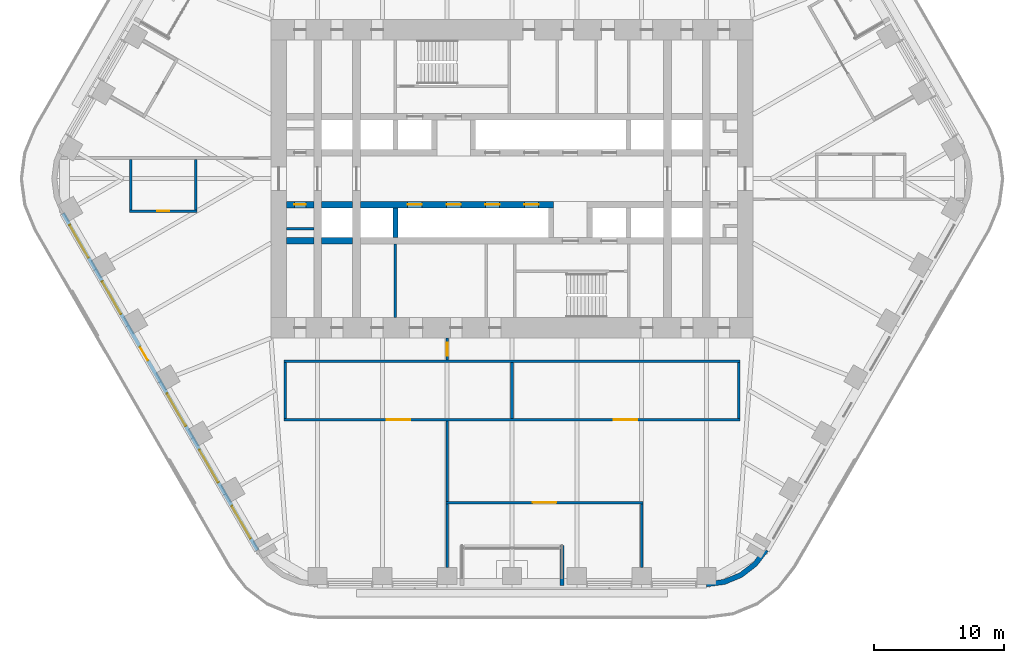
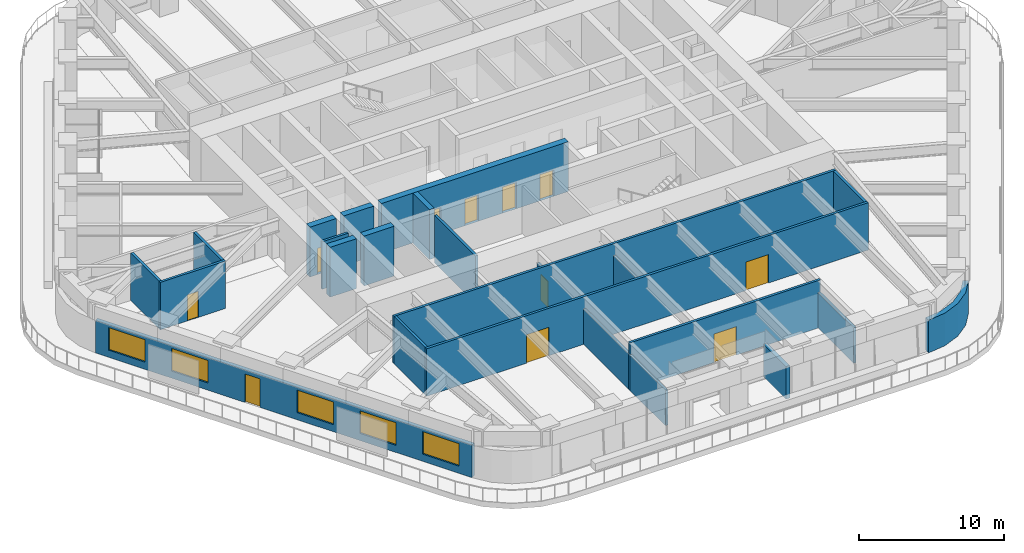
# One storey, part 17 of 24: 24 walls, 11 doors, 5 windows, 16 openings.
"""IFC4 building model written with IfcOpenShell, lengths in metres."""

from ifc_helpers import new_model, si_unit, direction, frame, frame_2d, origin, place, context, subcontext, project, spatial, polyline, rectangle, outline, extrude, material, layer, layer_set, type_object, element, fill, save


model = new_model("IFC4")

# Units and contexts
model_context = context("Model", 3, precision=1e-05, world=origin(), true_north=direction((0.0, 1.0)))
body_context = subcontext(model_context, "Body", "Model", "MODEL_VIEW")
ifc_project = project(units=[si_unit("LENGTHUNIT", "METRE"), si_unit("AREAUNIT", "SQUARE_METRE"), si_unit("VOLUMEUNIT", "CUBIC_METRE"), si_unit("PLANEANGLEUNIT", "RADIAN"), si_unit("MASSUNIT", "GRAM", prefix="KILO")], contexts=[model_context])

# Site, building, storey
site_placement = place(None, origin())
site = spatial("IfcSite", under=ifc_project, at=site_placement, CompositionType="ELEMENT")
building_placement = place(site_placement, origin())
building = spatial("IfcBuilding", under=site, at=building_placement, Name="Tarfa Lantern Tower", CompositionType="ELEMENT")
storey_placement = place(building_placement, frame((0.0, 0.0, 182.5)))
storey = spatial("IfcBuildingStorey", under=building, at=storey_placement, Name="L41", CompositionType="ELEMENT", Elevation=182.5)

# Wall, openings, door, windows
ifc_material_1 = material(Name="Limestone cladding on blockwork", Category="masonry")
ifc_layer_1 = layer(ifc_material_1, 0.300048828125)
ifc_layer_set_1 = layer_set([ifc_layer_1], Name="EW1 STONE-CLAD WALL 300")
wall_type_1 = type_object("IfcWallType", Name="EW1 STONE-CLAD WALL 300", PredefinedType="SOLIDWALL", material=ifc_layer_set_1)
wall_1_placement = place(storey_placement, frame((-34.655517578125, -2.675048828125, 0.0), z_axis=(0.0, 0.0, 1.0), x_axis=(0.500003084452, -0.866023622968, 0.0)))
wall_1 = element("IfcWall", 1, at=wall_1_placement, inside=storey, type_object=wall_type_1, Name="Stone wall SW", PredefinedType="SOLIDWALL", context=body_context, shape_type="SweptSolid", body=[
    extrude(rectangle(XDim=30.022216796875, YDim=0.300048828125, at=frame_2d((15.01123046875, 0.0))), origin(), (0.0, 0.0, 1.0), 2.75),
])
opening_1_placement = place(wall_1_placement, frame((1.0517578125, 0.0, 0.60009765625)))
opening_1 = element("IfcOpeningElement", 2, at=opening_1_placement, cuts=wall_1, Name="Opening W9", PredefinedType="OPENING", context=body_context, shape_type="SweptSolid", body=[
    extrude(rectangle(XDim=2.89990234375, YDim=1.89990234375, at=frame_2d((1.449951171875, 0.949951171875))), frame((0.0, 0.159912109375, 0.0), z_axis=(0.0, -1.0, 0.0), x_axis=(1.0, 0.0, 0.0)), (0.0, 0.0, 1.0), 0.320068359375),
])
opening_2_placement = place(wall_1_placement, frame((6.0556640625, 0.0, 0.60009765625)))
opening_2 = element("IfcOpeningElement", 3, at=opening_2_placement, cuts=wall_1, Name="Opening W9", PredefinedType="OPENING", context=body_context, shape_type="SweptSolid", body=[
    extrude(rectangle(XDim=2.89990234375, YDim=1.89990234375, at=frame_2d((1.449951171875, 0.949951171875))), frame((0.0, 0.159912109375, 0.0), z_axis=(0.0, -1.0, 0.0), x_axis=(1.0, 0.0, 0.0)), (0.0, 0.0, 1.0), 0.320068359375),
])
opening_3_placement = place(wall_1_placement, frame((11.9091796875, 0.0, 0.0)))
opening_3 = element("IfcOpeningElement", 4, at=opening_3_placement, cuts=wall_1, Name="Opening D47", PredefinedType="OPENING", context=body_context, shape_type="SweptSolid", body=[
    extrude(rectangle(XDim=1.199951171875, YDim=2.39990234375, at=frame_2d((0.60009765625, 1.199951171875))), frame((0.0, 0.159912109375, 0.0), z_axis=(0.0, -1.0, 0.0), x_axis=(1.0, 0.0, 0.0)), (0.0, 0.0, 1.0), 0.320068359375),
])
opening_4_placement = place(wall_1_placement, frame((16.06298828125, 0.0, 0.60009765625)))
opening_4 = element("IfcOpeningElement", 5, at=opening_4_placement, cuts=wall_1, Name="Opening W9", PredefinedType="OPENING", context=body_context, shape_type="SweptSolid", body=[
    extrude(rectangle(XDim=2.89990234375, YDim=1.89990234375, at=frame_2d((1.449951171875, 0.949951171875))), frame((0.0, 0.159912109375, 0.0), z_axis=(0.0, -1.0, 0.0), x_axis=(1.0, 0.0, 0.0)), (0.0, 0.0, 1.0), 0.320068359375),
])
opening_5_placement = place(wall_1_placement, frame((21.066650390625, 0.0, 0.60009765625)))
opening_5 = element("IfcOpeningElement", 6, at=opening_5_placement, cuts=wall_1, Name="Opening W9", PredefinedType="OPENING", context=body_context, shape_type="SweptSolid", body=[
    extrude(rectangle(XDim=2.89990234375, YDim=1.89990234375, at=frame_2d((1.449951171875, 0.949951171875))), frame((0.0, 0.159912109375, 0.0), z_axis=(0.0, -1.0, 0.0), x_axis=(1.0, 0.0, 0.0)), (0.0, 0.0, 1.0), 0.320068359375),
])
opening_6_placement = place(wall_1_placement, frame((26.0703125, 0.0, 0.60009765625)))
opening_6 = element("IfcOpeningElement", 7, at=opening_6_placement, cuts=wall_1, Name="Opening W9", PredefinedType="OPENING", context=body_context, shape_type="SweptSolid", body=[
    extrude(rectangle(XDim=2.89990234375, YDim=1.89990234375, at=frame_2d((1.449951171875, 0.949951171875))), frame((0.0, 0.159912109375, 0.0), z_axis=(0.0, -1.0, 0.0), x_axis=(1.0, 0.0, 0.0)), (0.0, 0.0, 1.0), 0.320068359375),
])
ifc_material_2 = material(Name="Aluminium framed glazed door", Category="aluminium")
door_type_1 = type_object("IfcDoorType", Name="BE3 BALCONY DOOR 1200x2400", OperationType="SINGLE_SWING_RIGHT", PredefinedType="DOOR", material=ifc_material_2)
door_1_placement = place(opening_3_placement, origin())
door_1 = element("IfcDoor", 8, at=door_1_placement, inside=storey, type_object=door_type_1, Name="Balcony door SW", OperationType="SINGLE_SWING_RIGHT", OverallHeight=2.39990234375, OverallWidth=1.199951171875, PredefinedType="DOOR", context=body_context, shape_type="SweptSolid", body=[
    extrude(rectangle(XDim=1.199951171875, YDim=2.39990234375, at=frame_2d((0.60009765625, 1.199951171875))), frame((0.0, 0.02490234375, 0.0), z_axis=(0.0, -1.0, 0.0), x_axis=(1.0, 0.0, 0.0)), (0.0, 0.0, 1.0), 0.050048828125),
])
fill(opening_3, door_1)
ifc_material_3 = material(Name="Aluminium frame, double glazed", Category="aluminium")
window_type = type_object("IfcWindowType", Name="W9 FULL-HEIGHT GLAZING 2900x1900", PartitioningType="SINGLE_PANEL", PredefinedType="WINDOW", material=ifc_material_3)
window_1_placement = place(opening_1_placement, origin())
window_1 = element("IfcWindow", 9, at=window_1_placement, inside=storey, type_object=window_type, Name="Window SW 1", OverallHeight=1.89990234375, OverallWidth=2.89990234375, PartitioningType="SINGLE_PANEL", PredefinedType="WINDOW", context=body_context, shape_type="SweptSolid", body=[
    extrude(rectangle(XDim=2.89990234375, YDim=1.89990234375, at=frame_2d((1.449951171875, 0.949951171875))), frame((0.0, 0.030029296875, 0.0), z_axis=(0.0, -1.0, 0.0), x_axis=(1.0, 0.0, 0.0)), (0.0, 0.0, 1.0), 0.06005859375),
])
fill(opening_1, window_1)
window_2_placement = place(opening_2_placement, origin())
window_2 = element("IfcWindow", 10, at=window_2_placement, inside=storey, type_object=window_type, Name="Window SW 2", OverallHeight=1.89990234375, OverallWidth=2.89990234375, PartitioningType="SINGLE_PANEL", PredefinedType="WINDOW", context=body_context, shape_type="SweptSolid", body=[
    extrude(rectangle(XDim=2.89990234375, YDim=1.89990234375, at=frame_2d((1.449951171875, 0.949951171875))), frame((0.0, 0.030029296875, 0.0), z_axis=(0.0, -1.0, 0.0), x_axis=(1.0, 0.0, 0.0)), (0.0, 0.0, 1.0), 0.06005859375),
])
fill(opening_2, window_2)
window_3_placement = place(opening_4_placement, origin())
window_3 = element("IfcWindow", 11, at=window_3_placement, inside=storey, type_object=window_type, Name="Window SW 4", OverallHeight=1.89990234375, OverallWidth=2.89990234375, PartitioningType="SINGLE_PANEL", PredefinedType="WINDOW", context=body_context, shape_type="SweptSolid", body=[
    extrude(rectangle(XDim=2.89990234375, YDim=1.89990234375, at=frame_2d((1.449951171875, 0.949951171875))), frame((0.0, 0.030029296875, 0.0), z_axis=(0.0, -1.0, 0.0), x_axis=(1.0, 0.0, 0.0)), (0.0, 0.0, 1.0), 0.06005859375),
])
fill(opening_4, window_3)
window_4_placement = place(opening_5_placement, origin())
window_4 = element("IfcWindow", 12, at=window_4_placement, inside=storey, type_object=window_type, Name="Window SW 5", OverallHeight=1.89990234375, OverallWidth=2.89990234375, PartitioningType="SINGLE_PANEL", PredefinedType="WINDOW", context=body_context, shape_type="SweptSolid", body=[
    extrude(rectangle(XDim=2.89990234375, YDim=1.89990234375, at=frame_2d((1.449951171875, 0.949951171875))), frame((0.0, 0.030029296875, 0.0), z_axis=(0.0, -1.0, 0.0), x_axis=(1.0, 0.0, 0.0)), (0.0, 0.0, 1.0), 0.06005859375),
])
fill(opening_5, window_4)
window_5_placement = place(opening_6_placement, origin())
window_5 = element("IfcWindow", 13, at=window_5_placement, inside=storey, type_object=window_type, Name="Window SW 6", OverallHeight=1.89990234375, OverallWidth=2.89990234375, PartitioningType="SINGLE_PANEL", PredefinedType="WINDOW", context=body_context, shape_type="SweptSolid", body=[
    extrude(rectangle(XDim=2.89990234375, YDim=1.89990234375, at=frame_2d((1.449951171875, 0.949951171875))), frame((0.0, 0.030029296875, 0.0), z_axis=(0.0, -1.0, 0.0), x_axis=(1.0, 0.0, 0.0)), (0.0, 0.0, 1.0), 0.06005859375),
])
fill(opening_6, window_5)

# Walls
wall_2_placement = place(storey_placement, frame((3.853759765625, -31.39990234375, 0.0), z_axis=(0.0, 0.0, 1.0), x_axis=(0.0, 1.0, 0.0)))
element("IfcWall", 14, at=wall_2_placement, inside=storey, type_object=wall_type_1, Name="Loggia return S 2", PredefinedType="SOLIDWALL", context=body_context, shape_type="SweptSolid", body=[
    extrude(rectangle(XDim=3.099853515625, YDim=0.300048828125, at=frame_2d((1.5498046875, 0.0))), origin(), (0.0, 0.0, 1.0), 2.75),
])
ifc_layer_2 = layer(ifc_material_1, 0.39990234375)
ifc_layer_set_2 = layer_set([ifc_layer_2], Name="EW2 CURVED STONE CORNER 400")
wall_type_2 = type_object("IfcWallType", Name="EW2 CURVED STONE CORNER 400", PredefinedType="SOLIDWALL", material=ifc_layer_set_2)
wall_3_placement = place(storey_placement, origin())
element("IfcWall", 15, at=wall_3_placement, inside=storey, type_object=wall_type_2, Name="Stone corner S-SE", PredefinedType="SOLIDWALL", context=body_context, shape_type="SweptSolid", body=[
    extrude(outline(polyline([(15.010986328125, -31.5), (16.4345703125, -31.3125), (17.760986328125, -30.76318359375), (18.900146484375, -29.88916015625), (19.774169921875, -28.75), (19.427734375, -28.550048828125), (18.617431640625, -29.606201171875), (17.56103515625, -30.416748046875), (16.3310546875, -30.92626953125), (15.010986328125, -31.10009765625), (15.010986328125, -31.5)])), origin(), (0.0, 0.0, 1.0), 2.75),
])
ifc_material_4 = material(Name="Concrete blockwork", Category="masonry")
ifc_layer_3 = layer(ifc_material_4, 0.199951171875)
ifc_layer_set_3 = layer_set([ifc_layer_3], Name="IW1 BLOCKWORK PARTITION 200 EI 120")
wall_type_3 = type_object("IfcWallType", Name="IW1 BLOCKWORK PARTITION 200 EI 120", PredefinedType="PARTITIONING", material=ifc_layer_set_3)
wall_4_placement = place(storey_placement, frame((-9.0, -5.050048828125, 0.0), z_axis=(0.0, 0.0, 1.0), x_axis=(0.0, -1.0, 0.0)))
element("IfcWall", 16, at=wall_4_placement, inside=storey, type_object=wall_type_3, Name="Core partition", PredefinedType="PARTITIONING", context=body_context, shape_type="SweptSolid", body=[
    extrude(rectangle(XDim=5.64990234375, YDim=0.199951171875, at=frame_2d((2.824951171875, 0.0))), origin(), (0.0, 0.0, 1.0), 4.0),
])
wall_5_placement = place(storey_placement, frame((-15.300048828125, -3.85009765625, 0.0), z_axis=(0.0, 0.0, 1.0), x_axis=(-1.0, 0.0, 0.0)))
element("IfcWall", 17, at=wall_5_placement, inside=storey, type_object=wall_type_3, Name="Core partition", PredefinedType="PARTITIONING", context=body_context, shape_type="SweptSolid", body=[
    extrude(rectangle(XDim=2.099853515625, YDim=0.199951171875, at=frame_2d((1.0498046875, 0.0))), origin(), (0.0, 0.0, 1.0), 4.0),
])
ifc_material_5 = material(Name="Gypsum board on steel studs", Category="steel")
ifc_layer_4 = layer(ifc_material_5, 0.2099609375)
ifc_layer_set_4 = layer_set([ifc_layer_4], Name="IW2 ACOUSTIC PARTITION 200")
wall_type_4 = type_object("IfcWallType", Name="IW2 ACOUSTIC PARTITION 200", PredefinedType="PARTITIONING", material=ifc_layer_set_4)
wall_6_placement = place(storey_placement, frame((17.60009765625, -14.10009765625, 0.0), z_axis=(0.0, 0.0, 1.0), x_axis=(-1.0, 0.0, 0.0)))
element("IfcWall", 18, at=wall_6_placement, inside=storey, type_object=wall_type_4, Name="Partition", PredefinedType="PARTITIONING", context=body_context, shape_type="SweptSolid", body=[
    extrude(rectangle(XDim=35.2001953125, YDim=0.199951171875, at=frame_2d((17.60009765625, 0.0))), origin(), (0.0, 0.0, 1.0), 4.0),
])

# Wall, openings, doors
wall_7_placement = place(storey_placement, frame((17.60009765625, -18.60009765625, 0.0), z_axis=(0.0, 0.0, 1.0), x_axis=(-1.0, 0.0, 0.0)))
wall_7 = element("IfcWall", 19, at=wall_7_placement, inside=storey, type_object=wall_type_4, Name="Partition", PredefinedType="PARTITIONING", context=body_context, shape_type="SweptSolid", body=[
    extrude(rectangle(XDim=35.2001953125, YDim=0.199951171875, at=frame_2d((17.60009765625, 0.0))), origin(), (0.0, 0.0, 1.0), 4.0),
])
opening_7_placement = place(wall_7_placement, frame((7.949951171875, 0.0, 0.0)))
opening_7 = element("IfcOpeningElement", 20, at=opening_7_placement, cuts=wall_7, Name="Opening D37", PredefinedType="OPENING", context=body_context, shape_type="SweptSolid", body=[
    extrude(rectangle(XDim=1.800048828125, YDim=2.39990234375, at=frame_2d((0.89990234375, 1.199951171875))), frame((0.0, 0.10986328125, 0.0), z_axis=(0.0, -1.0, 0.0), x_axis=(1.0, 0.0, 0.0)), (0.0, 0.0, 1.0), 0.219970703125),
])
opening_8_placement = place(wall_7_placement, frame((25.449951171875, 0.0, 0.0)))
opening_8 = element("IfcOpeningElement", 21, at=opening_8_placement, cuts=wall_7, Name="Opening D38", PredefinedType="OPENING", context=body_context, shape_type="SweptSolid", body=[
    extrude(rectangle(XDim=1.800048828125, YDim=2.39990234375, at=frame_2d((0.89990234375, 1.199951171875))), frame((0.0, 0.10986328125, 0.0), z_axis=(0.0, -1.0, 0.0), x_axis=(1.0, 0.0, 0.0)), (0.0, 0.0, 1.0), 0.219970703125),
])
ifc_material_6 = material(Name="Timber door", Category="wood")
door_type_2 = type_object("IfcDoorType", Name="DR2 ROOM DOOR 1800x2400", OperationType="DOUBLE_DOOR_SINGLE_SWING", PredefinedType="DOOR", material=ifc_material_6)
door_2_placement = place(opening_7_placement, frame((1.800048828125, 0.0, 0.0), z_axis=(0.0, 0.0, 1.0), x_axis=(-1.0, 0.0, 0.0)))
door_2 = element("IfcDoor", 22, at=door_2_placement, inside=storey, type_object=door_type_2, Name="Pantry door", OperationType="DOUBLE_DOOR_SINGLE_SWING", OverallHeight=2.39990234375, OverallWidth=1.800048828125, PredefinedType="DOOR", context=body_context, shape_type="SweptSolid", body=[
    extrude(rectangle(XDim=1.800048828125, YDim=2.39990234375, at=frame_2d((0.89990234375, 1.199951171875))), frame((0.0, 0.02490234375, 0.0), z_axis=(0.0, -1.0, 0.0), x_axis=(1.0, 0.0, 0.0)), (0.0, 0.0, 1.0), 0.050048828125),
])
fill(opening_7, door_2)
door_3_placement = place(opening_8_placement, frame((1.800048828125, 0.0, 0.0), z_axis=(0.0, 0.0, 1.0), x_axis=(-1.0, 0.0, 0.0)))
door_3 = element("IfcDoor", 23, at=door_3_placement, inside=storey, type_object=door_type_2, Name="Store door", OperationType="DOUBLE_DOOR_SINGLE_SWING", OverallHeight=2.39990234375, OverallWidth=1.800048828125, PredefinedType="DOOR", context=body_context, shape_type="SweptSolid", body=[
    extrude(rectangle(XDim=1.800048828125, YDim=2.39990234375, at=frame_2d((0.89990234375, 1.199951171875))), frame((0.0, 0.02490234375, 0.0), z_axis=(0.0, -1.0, 0.0), x_axis=(1.0, 0.0, 0.0)), (0.0, 0.0, 1.0), 0.050048828125),
])
fill(opening_8, door_3)

# Walls
wall_8_placement = place(storey_placement, frame((17.5, -14.199951171875, 0.0), z_axis=(0.0, 0.0, 1.0), x_axis=(0.0, -1.0, 0.0)))
element("IfcWall", 24, at=wall_8_placement, inside=storey, type_object=wall_type_4, Name="Partition", PredefinedType="PARTITIONING", context=body_context, shape_type="SweptSolid", body=[
    extrude(rectangle(XDim=4.300048828125, YDim=0.199951171875, at=frame_2d((2.14990234375, 0.0))), origin(), (0.0, 0.0, 1.0), 4.0),
])
wall_9_placement = place(storey_placement, frame((0.0, -14.199951171875, 0.0), z_axis=(0.0, 0.0, 1.0), x_axis=(0.0, -1.0, 0.0)))
element("IfcWall", 25, at=wall_9_placement, inside=storey, type_object=wall_type_4, Name="Partition", PredefinedType="PARTITIONING", context=body_context, shape_type="SweptSolid", body=[
    extrude(rectangle(XDim=4.300048828125, YDim=0.199951171875, at=frame_2d((2.14990234375, 0.0))), origin(), (0.0, 0.0, 1.0), 2.991943359375),
])
wall_10_placement = place(storey_placement, frame((-17.5, -14.199951171875, 0.0), z_axis=(0.0, 0.0, 1.0), x_axis=(0.0, -1.0, 0.0)))
element("IfcWall", 26, at=wall_10_placement, inside=storey, type_object=wall_type_4, Name="Partition", PredefinedType="PARTITIONING", context=body_context, shape_type="SweptSolid", body=[
    extrude(rectangle(XDim=4.300048828125, YDim=0.199951171875, at=frame_2d((2.14990234375, 0.0))), origin(), (0.0, 0.0, 1.0), 4.0),
])

# Wall, opening, door
wall_11_placement = place(storey_placement, frame((-5.103759765625, -25.0, 0.0), z_axis=(0.0, 0.0, 1.0), x_axis=(1.0, 0.0, 0.0)))
wall_11 = element("IfcWall", 27, at=wall_11_placement, inside=storey, type_object=wall_type_4, Name="Partition", PredefinedType="PARTITIONING", context=body_context, shape_type="SweptSolid", body=[
    extrude(rectangle(XDim=15.211181640625, YDim=0.199951171875, at=frame_2d((7.60546875, 0.0))), origin(), (0.0, 0.0, 1.0), 4.0),
])
opening_9_placement = place(wall_11_placement, frame((6.70556640625, 0.0, 0.0)))
opening_9 = element("IfcOpeningElement", 28, at=opening_9_placement, cuts=wall_11, Name="Opening D35", PredefinedType="OPENING", context=body_context, shape_type="SweptSolid", body=[
    extrude(rectangle(XDim=1.800048828125, YDim=2.39990234375, at=frame_2d((0.89990234375, 1.199951171875))), frame((0.0, 0.10986328125, 0.0), z_axis=(0.0, -1.0, 0.0), x_axis=(1.0, 0.0, 0.0)), (0.0, 0.0, 1.0), 0.219970703125),
])
door_4_placement = place(opening_9_placement, frame((1.800048828125, 0.0, 0.0), z_axis=(0.0, 0.0, 1.0), x_axis=(-1.0, 0.0, 0.0)))
door_4 = element("IfcDoor", 29, at=door_4_placement, inside=storey, type_object=door_type_2, Name="Showroom door", OperationType="DOUBLE_DOOR_SINGLE_SWING", OverallHeight=2.39990234375, OverallWidth=1.800048828125, PredefinedType="DOOR", context=body_context, shape_type="SweptSolid", body=[
    extrude(rectangle(XDim=1.800048828125, YDim=2.39990234375, at=frame_2d((0.89990234375, 1.199951171875))), frame((0.0, 0.02490234375, 0.0), z_axis=(0.0, -1.0, 0.0), x_axis=(1.0, 0.0, 0.0)), (0.0, 0.0, 1.0), 0.050048828125),
])
fill(opening_9, door_4)

# Walls
for number, where, z_axis, x_axis, name in (
    (30, (-5.003662109375, -25.10009765625, 0.0), (0.0, 0.0, 1.0), (0.0, -1.0, 0.0), "Partition"),
    (31, (10.00732421875, -25.10009765625, 0.0), (0.0, 0.0, 1.0), (0.0, -1.0, 0.0), "Partition"),
):
    element("IfcWall", number, at=place(storey_placement, frame(where, z_axis=z_axis, x_axis=x_axis)), inside=storey, type_object=wall_type_4, Name=name, PredefinedType="PARTITIONING", context=body_context, shape_type="SweptSolid", body=[
        extrude(rectangle(XDim=4.89990234375, YDim=0.199951171875, at=frame_2d((2.449951171875, 0.0))), origin(), (0.0, 0.0, 1.0), 2.991943359375),
    ])

# Wall, opening, door
wall_12_placement = place(storey_placement, frame((-5.0, -12.300048828125, 0.0), z_axis=(0.0, 0.0, 1.0), x_axis=(0.0, -1.0, 0.0)))
wall_12 = element("IfcWall", 32, at=wall_12_placement, inside=storey, type_object=wall_type_4, Name="Partition", PredefinedType="PARTITIONING", context=body_context, shape_type="SweptSolid", body=[
    extrude(rectangle(XDim=1.699951171875, YDim=0.199951171875, at=frame_2d((0.85009765625, 0.0))), origin(), (0.0, 0.0, 1.0), 2.991943359375),
])
opening_10_placement = place(wall_12_placement, frame((0.35009765625, 0.0, 0.0)))
opening_10 = element("IfcOpeningElement", 33, at=opening_10_placement, cuts=wall_12, Name="Opening D43", PredefinedType="OPENING", context=body_context, shape_type="SweptSolid", body=[
    extrude(rectangle(XDim=1.0, YDim=2.199951171875, at=frame_2d((0.5, 1.10009765625))), frame((0.0, 0.10986328125, 0.0), z_axis=(0.0, -1.0, 0.0), x_axis=(1.0, 0.0, 0.0)), (0.0, 0.0, 1.0), 0.219970703125),
])
door_type_3 = type_object("IfcDoorType", Name="DR1 ROOM DOOR 1000x2200", OperationType="SINGLE_SWING_LEFT", PredefinedType="DOOR", material=ifc_material_6)
door_5_placement = place(opening_10_placement, frame((1.0, 0.0, 0.0), z_axis=(0.0, 0.0, 1.0), x_axis=(-1.0, 0.0, 0.0)))
door_5 = element("IfcDoor", 34, at=door_5_placement, inside=storey, type_object=door_type_3, Name="Zone door", OperationType="SINGLE_SWING_RIGHT", OverallHeight=2.199951171875, OverallWidth=1.0, PredefinedType="DOOR", context=body_context, shape_type="SweptSolid", body=[
    extrude(rectangle(XDim=1.0, YDim=2.199951171875, at=frame_2d((0.5, 1.10009765625))), frame((0.0, 0.02490234375, 0.0), z_axis=(0.0, -1.0, 0.0), x_axis=(1.0, 0.0, 0.0)), (0.0, 0.0, 1.0), 0.050048828125),
])
fill(opening_10, door_5)

# Wall
wall_13_placement = place(storey_placement, frame((-5.0, -18.699951171875, 0.0), z_axis=(0.0, 0.0, 1.0), x_axis=(0.0, -1.0, 0.0)))
element("IfcWall", 35, at=wall_13_placement, inside=storey, type_object=wall_type_4, Name="Partition", PredefinedType="PARTITIONING", context=body_context, shape_type="SweptSolid", body=[
    extrude(rectangle(XDim=6.199951171875, YDim=0.199951171875, at=frame_2d((3.10009765625, 0.0))), origin(), (0.0, 0.0, 1.0), 2.991943359375),
])

# Wall, opening, door
wall_14_placement = place(storey_placement, frame((-24.314453125, -2.5, 0.0), z_axis=(0.0, 0.0, 1.0), x_axis=(-1.0, 0.0, 0.0)))
wall_14 = element("IfcWall", 36, at=wall_14_placement, inside=storey, type_object=wall_type_4, Name="Partition", PredefinedType="PARTITIONING", context=body_context, shape_type="SweptSolid", body=[
    extrude(rectangle(XDim=5.199951171875, YDim=0.199951171875, at=frame_2d((2.60009765625, 0.0))), origin(), (0.0, 0.0, 1.0), 4.0),
])
opening_11_placement = place(wall_14_placement, frame((2.14990234375, 0.0, 0.0)))
opening_11 = element("IfcOpeningElement", 37, at=opening_11_placement, cuts=wall_14, Name="Opening D41", PredefinedType="OPENING", context=body_context, shape_type="SweptSolid", body=[
    extrude(rectangle(XDim=0.89990234375, YDim=2.199951171875, at=frame_2d((0.449951171875, 1.10009765625))), frame((0.0, 0.10986328125, 0.0), z_axis=(0.0, -1.0, 0.0), x_axis=(1.0, 0.0, 0.0)), (0.0, 0.0, 1.0), 0.219970703125),
])
door_type_4 = type_object("IfcDoorType", Name="DR3 ROOM DOOR 900x2200", OperationType="SINGLE_SWING_LEFT", PredefinedType="DOOR", material=ifc_material_6)
door_6_placement = place(opening_11_placement, frame((0.89990234375, 0.0, 0.0), z_axis=(0.0, 0.0, 1.0), x_axis=(-1.0, 0.0, 0.0)))
door_6 = element("IfcDoor", 38, at=door_6_placement, inside=storey, type_object=door_type_4, Name="Team room door", OperationType="SINGLE_SWING_RIGHT", OverallHeight=2.199951171875, OverallWidth=0.89990234375, PredefinedType="DOOR", context=body_context, shape_type="SweptSolid", body=[
    extrude(rectangle(XDim=0.89990234375, YDim=2.199951171875, at=frame_2d((0.449951171875, 1.10009765625))), frame((0.0, 0.02490234375, 0.0), z_axis=(0.0, -1.0, 0.0), x_axis=(1.0, 0.0, 0.0)), (0.0, 0.0, 1.0), 0.050048828125),
])
fill(opening_11, door_6)

# Walls
for number, where, z_axis, x_axis, name in (
    (39, (-24.41455078125, 1.5, 0.0), (0.0, 0.0, 1.0), (0.0, -1.0, 0.0), "Partition"),
    (40, (-29.41455078125, 1.5, 0.0), (0.0, 0.0, 1.0), (0.0, -1.0, 0.0), "Partition"),
):
    element("IfcWall", number, at=place(storey_placement, frame(where, z_axis=z_axis, x_axis=x_axis)), inside=storey, type_object=wall_type_4, Name=name, PredefinedType="PARTITIONING", context=body_context, shape_type="SweptSolid", body=[
        extrude(rectangle(XDim=3.89990234375, YDim=0.199951171875, at=frame_2d((1.949951171875, 0.0))), origin(), (0.0, 0.0, 1.0), 4.0),
    ])

# Wall, openings, doors
ifc_material_7 = material(Name="Concrete C80/95", Category="concrete")
ifc_layer_5 = layer(ifc_material_7, 0.5)
ifc_layer_set_5 = layer_set([ifc_layer_5], Name="SW5 CORE WALL 500")
wall_type_5 = type_object("IfcWallType", Name="SW5 CORE WALL 500", PredefinedType="SHEAR", material=ifc_layer_set_5)
wall_15_placement = place(storey_placement, frame((3.199951171875, -2.0, 0.0), z_axis=(0.0, 0.0, 1.0), x_axis=(-1.0, 0.0, 0.0)))
wall_15 = element("IfcWall", 41, at=wall_15_placement, inside=storey, type_object=wall_type_5, Name="Core wall lobby east S", PredefinedType="SHEAR", context=body_context, shape_type="SweptSolid", body=[
    extrude(rectangle(XDim=14.89990234375, YDim=0.5, at=frame_2d((7.449951171875, 0.0))), origin(), (0.0, 0.0, 1.0), 4.199951171875),
])
opening_12_placement = place(wall_15_placement, frame((1.14990234375, 0.0, 0.0)))
opening_12 = element("IfcOpeningElement", 42, at=opening_12_placement, cuts=wall_15, Name="Opening LD07", PredefinedType="OPENING", context=body_context, shape_type="SweptSolid", body=[
    extrude(rectangle(XDim=1.10009765625, YDim=2.199951171875, at=frame_2d((0.550048828125, 1.10009765625))), frame((0.0, 0.260009765625, 0.0), z_axis=(0.0, -1.0, 0.0), x_axis=(1.0, 0.0, 0.0)), (0.0, 0.0, 1.0), 0.52001953125),
])
opening_13_placement = place(wall_15_placement, frame((4.14990234375, 0.0, 0.0)))
opening_13 = element("IfcOpeningElement", 43, at=opening_13_placement, cuts=wall_15, Name="Opening LD08", PredefinedType="OPENING", context=body_context, shape_type="SweptSolid", body=[
    extrude(rectangle(XDim=1.10009765625, YDim=2.199951171875, at=frame_2d((0.550048828125, 1.10009765625))), frame((0.0, 0.260009765625, 0.0), z_axis=(0.0, -1.0, 0.0), x_axis=(1.0, 0.0, 0.0)), (0.0, 0.0, 1.0), 0.52001953125),
])
opening_14_placement = place(wall_15_placement, frame((7.14990234375, 0.0, 0.0)))
opening_14 = element("IfcOpeningElement", 44, at=opening_14_placement, cuts=wall_15, Name="Opening LD09", PredefinedType="OPENING", context=body_context, shape_type="SweptSolid", body=[
    extrude(rectangle(XDim=1.10009765625, YDim=2.199951171875, at=frame_2d((0.550048828125, 1.10009765625))), frame((0.0, 0.260009765625, 0.0), z_axis=(0.0, -1.0, 0.0), x_axis=(1.0, 0.0, 0.0)), (0.0, 0.0, 1.0), 0.52001953125),
])
opening_15_placement = place(wall_15_placement, frame((10.14990234375, 0.0, 0.0)))
opening_15 = element("IfcOpeningElement", 45, at=opening_15_placement, cuts=wall_15, Name="Opening LD10", PredefinedType="OPENING", context=body_context, shape_type="SweptSolid", body=[
    extrude(rectangle(XDim=1.10009765625, YDim=2.199951171875, at=frame_2d((0.550048828125, 1.10009765625))), frame((0.0, 0.260009765625, 0.0), z_axis=(0.0, -1.0, 0.0), x_axis=(1.0, 0.0, 0.0)), (0.0, 0.0, 1.0), 0.52001953125),
])
ifc_material_8 = material(Name="Stainless steel lift door", Category="steel")
door_type_5 = type_object("IfcDoorType", Name="LD2 LIFT LANDING DOOR 1100x2200", OperationType="SLIDING_TO_LEFT", PredefinedType="DOOR", material=ifc_material_8)
door_7_placement = place(opening_12_placement, frame((1.10009765625, 0.0, 0.0), z_axis=(0.0, 0.0, 1.0), x_axis=(-1.0, 0.0, 0.0)))
door_7 = element("IfcDoor", 46, at=door_7_placement, inside=storey, type_object=door_type_5, Name="Landing door PB5", OperationType="SLIDING_TO_LEFT", OverallHeight=2.199951171875, OverallWidth=1.10009765625, PredefinedType="DOOR", context=body_context, shape_type="SweptSolid", body=[
    extrude(rectangle(XDim=1.10009765625, YDim=2.199951171875, at=frame_2d((0.550048828125, 1.10009765625))), frame((0.0, 0.02490234375, 0.0), z_axis=(0.0, -1.0, 0.0), x_axis=(1.0, 0.0, 0.0)), (0.0, 0.0, 1.0), 0.050048828125),
])
fill(opening_12, door_7)
door_8_placement = place(opening_13_placement, frame((1.10009765625, 0.0, 0.0), z_axis=(0.0, 0.0, 1.0), x_axis=(-1.0, 0.0, 0.0)))
door_8 = element("IfcDoor", 47, at=door_8_placement, inside=storey, type_object=door_type_5, Name="Landing door PB6", OperationType="SLIDING_TO_LEFT", OverallHeight=2.199951171875, OverallWidth=1.10009765625, PredefinedType="DOOR", context=body_context, shape_type="SweptSolid", body=[
    extrude(rectangle(XDim=1.10009765625, YDim=2.199951171875, at=frame_2d((0.550048828125, 1.10009765625))), frame((0.0, 0.02490234375, 0.0), z_axis=(0.0, -1.0, 0.0), x_axis=(1.0, 0.0, 0.0)), (0.0, 0.0, 1.0), 0.050048828125),
])
fill(opening_13, door_8)
door_9_placement = place(opening_14_placement, frame((1.10009765625, 0.0, 0.0), z_axis=(0.0, 0.0, 1.0), x_axis=(-1.0, 0.0, 0.0)))
door_9 = element("IfcDoor", 48, at=door_9_placement, inside=storey, type_object=door_type_5, Name="Landing door PB7", OperationType="SLIDING_TO_LEFT", OverallHeight=2.199951171875, OverallWidth=1.10009765625, PredefinedType="DOOR", context=body_context, shape_type="SweptSolid", body=[
    extrude(rectangle(XDim=1.10009765625, YDim=2.199951171875, at=frame_2d((0.550048828125, 1.10009765625))), frame((0.0, 0.02490234375, 0.0), z_axis=(0.0, -1.0, 0.0), x_axis=(1.0, 0.0, 0.0)), (0.0, 0.0, 1.0), 0.050048828125),
])
fill(opening_14, door_9)
door_10_placement = place(opening_15_placement, frame((1.10009765625, 0.0, 0.0), z_axis=(0.0, 0.0, 1.0), x_axis=(-1.0, 0.0, 0.0)))
door_10 = element("IfcDoor", 49, at=door_10_placement, inside=storey, type_object=door_type_5, Name="Landing door PB8", OperationType="SLIDING_TO_LEFT", OverallHeight=2.199951171875, OverallWidth=1.10009765625, PredefinedType="DOOR", context=body_context, shape_type="SweptSolid", body=[
    extrude(rectangle(XDim=1.10009765625, YDim=2.199951171875, at=frame_2d((0.550048828125, 1.10009765625))), frame((0.0, 0.02490234375, 0.0), z_axis=(0.0, -1.0, 0.0), x_axis=(1.0, 0.0, 0.0)), (0.0, 0.0, 1.0), 0.050048828125),
])
fill(opening_15, door_10)

# Wall
wall_16_placement = place(storey_placement, frame((-12.300048828125, -2.0, 0.0), z_axis=(0.0, 0.0, 1.0), x_axis=(-1.0, 0.0, 0.0)))
element("IfcWall", 50, at=wall_16_placement, inside=storey, type_object=wall_type_5, Name="Core wall lobby east S", PredefinedType="SHEAR", context=body_context, shape_type="SweptSolid", body=[
    extrude(rectangle(XDim=2.39990234375, YDim=0.5, at=frame_2d((1.199951171875, 0.0))), origin(), (0.0, 0.0, 1.0), 4.199951171875),
])

# Wall, opening, door
wall_17_placement = place(storey_placement, frame((-15.300048828125, -2.0, 0.0), z_axis=(0.0, 0.0, 1.0), x_axis=(-1.0, 0.0, 0.0)))
wall_17 = element("IfcWall", 51, at=wall_17_placement, inside=storey, type_object=wall_type_5, Name="Core wall lobby east S", PredefinedType="SHEAR", context=body_context, shape_type="SweptSolid", body=[
    extrude(rectangle(XDim=2.099853515625, YDim=0.5, at=frame_2d((1.0498046875, 0.0))), origin(), (0.0, 0.0, 1.0), 4.199951171875),
])
opening_16_placement = place(wall_17_placement, frame((0.60009765625, 0.0, 0.0)))
opening_16 = element("IfcOpeningElement", 52, at=opening_16_placement, cuts=wall_17, Name="Opening D18", PredefinedType="OPENING", context=body_context, shape_type="SweptSolid", body=[
    extrude(rectangle(XDim=0.89990234375, YDim=2.199951171875, at=frame_2d((0.449951171875, 1.10009765625))), frame((0.0, 0.260009765625, 0.0), z_axis=(0.0, -1.0, 0.0), x_axis=(1.0, 0.0, 0.0)), (0.0, 0.0, 1.0), 0.52001953125),
])
ifc_material_9 = material(Name="Steel fire door", Category="steel")
door_type_6 = type_object("IfcDoorType", Name="DF6 SERVICE ROOM DOOR 900x2200", OperationType="SINGLE_SWING_LEFT", PredefinedType="DOOR", material=ifc_material_9)
door_11_placement = place(opening_16_placement, origin())
door_11 = element("IfcDoor", 53, at=door_11_placement, inside=storey, type_object=door_type_6, Name="Service room door", OperationType="SINGLE_SWING_LEFT", OverallHeight=2.199951171875, OverallWidth=0.89990234375, PredefinedType="DOOR", context=body_context, shape_type="SweptSolid", body=[
    extrude(rectangle(XDim=0.89990234375, YDim=2.199951171875, at=frame_2d((0.449951171875, 1.10009765625))), frame((0.0, 0.02490234375, 0.0), z_axis=(0.0, -1.0, 0.0), x_axis=(1.0, 0.0, 0.0)), (0.0, 0.0, 1.0), 0.050048828125),
])
fill(opening_16, door_11)

# Walls
wall_18_placement = place(storey_placement, frame((-12.300048828125, -4.800048828125, 0.0), z_axis=(0.0, 0.0, 1.0), x_axis=(-1.0, 0.0, 0.0)))
element("IfcWall", 54, at=wall_18_placement, inside=storey, type_object=wall_type_5, Name="Core wall rear S", PredefinedType="SHEAR", context=body_context, shape_type="SweptSolid", body=[
    extrude(rectangle(XDim=2.39990234375, YDim=0.5, at=frame_2d((1.199951171875, 0.0))), origin(), (0.0, 0.0, 1.0), 4.199951171875),
])
wall_19_placement = place(storey_placement, frame((-15.300048828125, -4.800048828125, 0.0), z_axis=(0.0, 0.0, 1.0), x_axis=(-1.0, 0.0, 0.0)))
element("IfcWall", 55, at=wall_19_placement, inside=storey, type_object=wall_type_5, Name="Core wall rear S", PredefinedType="SHEAR", context=body_context, shape_type="SweptSolid", body=[
    extrude(rectangle(XDim=2.099853515625, YDim=0.5, at=frame_2d((1.0498046875, 0.0))), origin(), (0.0, 0.0, 1.0), 4.199951171875),
])
ifc_layer_6 = layer(ifc_material_7, 0.39990234375)
ifc_layer_set_6 = layer_set([ifc_layer_6], Name="SW6 CORE WALL 400")
wall_type_6 = type_object("IfcWallType", Name="SW6 CORE WALL 400", PredefinedType="SHEAR", material=ifc_layer_set_6)
wall_20_placement = place(storey_placement, frame((-9.0, -2.25, 0.0), z_axis=(0.0, 0.0, 1.0), x_axis=(0.0, -1.0, 0.0)))
element("IfcWall", 56, at=wall_20_placement, inside=storey, type_object=wall_type_6, Name="Core wall divider S", PredefinedType="SHEAR", context=body_context, shape_type="SweptSolid", body=[
    extrude(rectangle(XDim=2.300048828125, YDim=0.39990234375, at=frame_2d((1.14990234375, 0.0))), origin(), (0.0, 0.0, 1.0), 4.199951171875),
])

save(model, "model.ifc")
